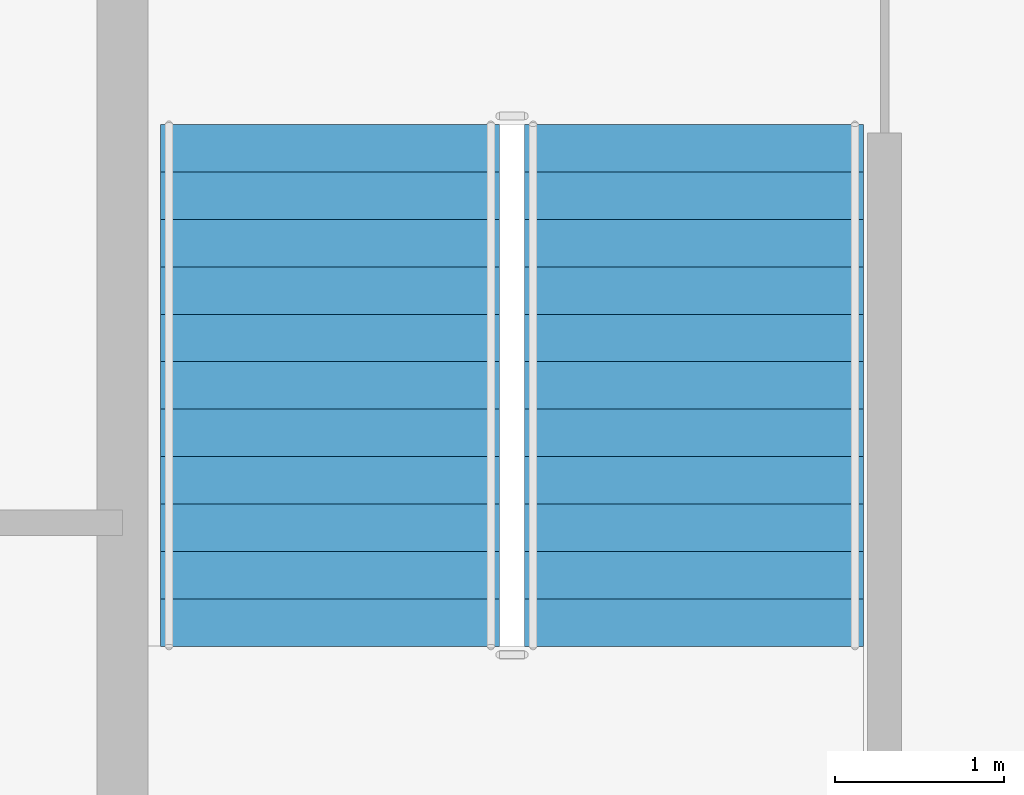
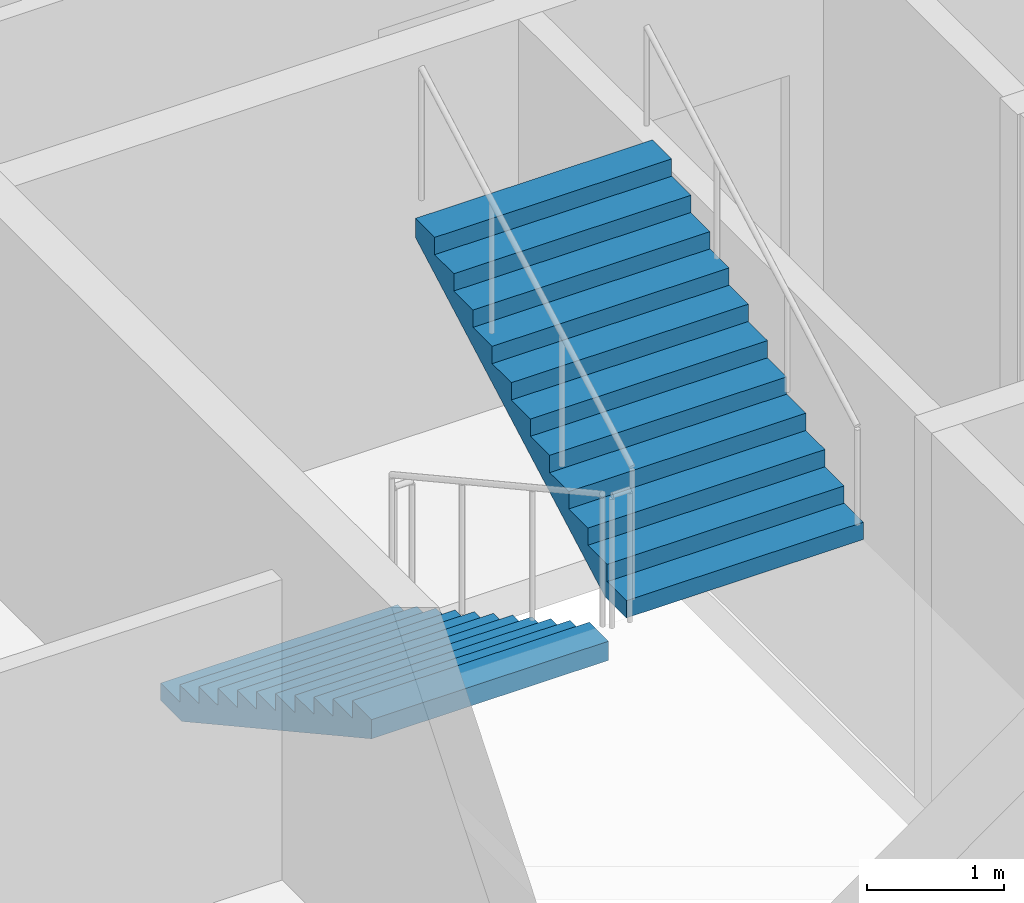
# One storey, part 11 of 18: 2 stair flights, 1 element without a shape of its own.
"""IFC4 building model written with IfcOpenShell, lengths in metres."""

from ifc_helpers import new_model, si_unit, direction, frame, origin, place, context, subcontext, project, spatial, polygons, material, type_object, element, aggregate, save


model = new_model("IFC4")

# Units and contexts
model_context = context("Model", 3, precision=1e-05, world=origin(), true_north=direction((0.0, 1.0)))
body_context = subcontext(model_context, "Body", "Model", "MODEL_VIEW")
ifc_project = project(units=[si_unit("LENGTHUNIT", "METRE"), si_unit("AREAUNIT", "SQUARE_METRE"), si_unit("VOLUMEUNIT", "CUBIC_METRE"), si_unit("PLANEANGLEUNIT", "RADIAN"), si_unit("MASSUNIT", "GRAM", prefix="KILO")], contexts=[model_context])

# Site, building, storey
site_placement = place(None, origin())
site = spatial("IfcSite", under=ifc_project, at=site_placement, CompositionType="ELEMENT")
building_placement = place(site_placement, origin())
building = spatial("IfcBuilding", under=site, at=building_placement, Name="Caravel Reach Hotel and Residences", CompositionType="ELEMENT")
storey_placement = place(building_placement, frame((0.0, 0.0, 165.39990234375)))
storey = spatial("IfcBuildingStorey", under=building, at=storey_placement, Name="L41", CompositionType="ELEMENT", Elevation=165.39990234375)

# Stair, stair flights
ifc_material_1 = material(Name="Concrete C40", Category="concrete")
stair_type = type_object("IfcStairType", Name="Core stair", PredefinedType="HALF_TURN_STAIR", material=ifc_material_1)
stair_placement = place(storey_placement, origin())
stair = element("IfcStair", 1, at=stair_placement, inside=storey, type_object=stair_type, Name="L41 Exit stair A", PredefinedType="HALF_TURN_STAIR")
ifc_material_2 = material(Name="Concrete C40", Category="concrete")
stair_flight_type = type_object("IfcStairFlightType", Name="Core stair flight", PredefinedType="STRAIGHT", material=ifc_material_2)
stair_flight_1_placement = place(storey_placement, frame((19.22509765625, 29.35009765625, 0.0), z_axis=(0.0, 0.0, 1.0), x_axis=(0.0, -1.0, 0.0)))
stair_flight_1 = element("IfcStairFlight", 2, at=stair_flight_1_placement, type_object=stair_flight_type, Name="ST-A flight 1", NumberOfRisers=12, NumberOfTreads=11, PredefinedType="STRAIGHT", RiserHeight=0.154166667, TreadLength=0.28, context=body_context, shape_type="Tessellation", body=[
    polygons([(0.3107950034306102, 1.0, 0.0), (0.3107950034306102, 0.6666666666666667, 0.0), (0.3107950034306102, 0.33333333333333337, 0.0), (0.3107950034306102, 0.0, 0.0), (0.3107950034306102, -0.33333333333333326, 0.0), (0.3107950034306102, -0.6666666666666667, 0.0), (0.3107950034306102, -1.0, 0.0), (3.081, 1.0, 1.524711087717319), (3.081, 0.6666666666666667, 1.524711087717319), (3.081, 0.33333333333333337, 1.524711087717319), (3.081, 0.0, 1.524711087717319), (3.081, -0.33333333333333326, 1.524711087717319), (3.081, -0.6666666666666667, 1.524711087717319), (3.081, -1.0, 1.524711087717319), (3.081, 1.0, 1.695833337), (3.081, 0.6666666666666667, 1.695833337), (3.081, 0.33333333333333337, 1.695833337), (3.081, 0.0, 1.695833337), (3.081, -0.33333333333333326, 1.695833337), (3.081, -0.6666666666666667, 1.695833337), (3.081, -1.0, 1.695833337), (2.8000000000000003, 1.0, 1.695833337), (2.8000000000000003, 0.6666666666666667, 1.695833337), (2.8000000000000003, 0.33333333333333337, 1.695833337), (2.8000000000000003, 0.0, 1.695833337), (2.8000000000000003, -0.33333333333333326, 1.695833337), (2.8000000000000003, -0.6666666666666667, 1.695833337), (2.8000000000000003, -1.0, 1.695833337), (2.8000000000000003, 1.0, 1.5416666700000001), (2.8000000000000003, 0.6666666666666667, 1.5416666700000001), (2.8000000000000003, 0.33333333333333337, 1.5416666700000001), (2.8000000000000003, 0.0, 1.5416666700000001), (2.8000000000000003, -0.33333333333333326, 1.5416666700000001), (2.8000000000000003, -0.6666666666666667, 1.5416666700000001), (2.8000000000000003, -1.0, 1.5416666700000001), (2.5200000000000005, 1.0, 1.5416666700000001), (2.5200000000000005, 0.6666666666666667, 1.5416666700000001), (2.5200000000000005, 0.33333333333333337, 1.5416666700000001), (2.5200000000000005, 0.0, 1.5416666700000001), (2.5200000000000005, -0.33333333333333326, 1.5416666700000001), (2.5200000000000005, -0.6666666666666667, 1.5416666700000001), (2.5200000000000005, -1.0, 1.5416666700000001), (2.5200000000000005, 1.0, 1.387500003), (2.5200000000000005, 0.6666666666666667, 1.387500003), (2.5200000000000005, 0.33333333333333337, 1.387500003), (2.5200000000000005, 0.0, 1.387500003), (2.5200000000000005, -0.33333333333333326, 1.387500003), (2.5200000000000005, -0.6666666666666667, 1.387500003), (2.5200000000000005, -1.0, 1.387500003), (2.24, 1.0, 1.387500003), (2.24, 0.6666666666666667, 1.387500003), (2.24, 0.33333333333333337, 1.387500003), (2.24, 0.0, 1.387500003), (2.24, -0.33333333333333326, 1.387500003), (2.24, -0.6666666666666667, 1.387500003), (2.24, -1.0, 1.387500003), (2.24, 1.0, 1.233333336), (2.24, 0.6666666666666667, 1.233333336), (2.24, 0.33333333333333337, 1.233333336), (2.24, 0.0, 1.233333336), (2.24, -0.33333333333333326, 1.233333336), (2.24, -0.6666666666666667, 1.233333336), (2.24, -1.0, 1.233333336), (1.9600000000000002, 1.0, 1.233333336), (1.9600000000000002, 0.6666666666666667, 1.233333336), (1.9600000000000002, 0.33333333333333337, 1.233333336), (1.9600000000000002, 0.0, 1.233333336), (1.9600000000000002, -0.33333333333333326, 1.233333336), (1.9600000000000002, -0.6666666666666667, 1.233333336), (1.9600000000000002, -1.0, 1.233333336), (1.9600000000000002, 1.0, 1.0791666690000001), (1.9600000000000002, 0.6666666666666667, 1.0791666690000001), (1.9600000000000002, 0.33333333333333337, 1.0791666690000001), (1.9600000000000002, 0.0, 1.0791666690000001), (1.9600000000000002, -0.33333333333333326, 1.0791666690000001), (1.9600000000000002, -0.6666666666666667, 1.0791666690000001), (1.9600000000000002, -1.0, 1.0791666690000001), (1.6800000000000002, 1.0, 1.0791666690000001), (1.6800000000000002, 0.6666666666666667, 1.0791666690000001), (1.6800000000000002, 0.33333333333333337, 1.0791666690000001), (1.6800000000000002, 0.0, 1.0791666690000001), (1.6800000000000002, -0.33333333333333326, 1.0791666690000001), (1.6800000000000002, -0.6666666666666667, 1.0791666690000001), (1.6800000000000002, -1.0, 1.0791666690000001), (1.6800000000000002, 1.0, 0.925000002), (1.6800000000000002, 0.6666666666666667, 0.925000002), (1.6800000000000002, 0.33333333333333337, 0.925000002), (1.6800000000000002, 0.0, 0.925000002), (1.6800000000000002, -0.33333333333333326, 0.925000002), (1.6800000000000002, -0.6666666666666667, 0.925000002), (1.6800000000000002, -1.0, 0.925000002), (1.4000000000000001, 1.0, 0.925000002), (1.4000000000000001, 0.6666666666666667, 0.925000002), (1.4000000000000001, 0.33333333333333337, 0.925000002), (1.4000000000000001, 0.0, 0.925000002), (1.4000000000000001, -0.33333333333333326, 0.925000002), (1.4000000000000001, -0.6666666666666667, 0.925000002), (1.4000000000000001, -1.0, 0.925000002), (1.4000000000000001, 1.0, 0.7708333350000001), (1.4000000000000001, 0.6666666666666667, 0.7708333350000001), (1.4000000000000001, 0.33333333333333337, 0.7708333350000001), (1.4000000000000001, 0.0, 0.7708333350000001), (1.4000000000000001, -0.33333333333333326, 0.7708333350000001), (1.4000000000000001, -0.6666666666666667, 0.7708333350000001), (1.4000000000000001, -1.0, 0.7708333350000001), (1.12, 1.0, 0.7708333350000001), (1.12, 0.6666666666666667, 0.7708333350000001), (1.12, 0.33333333333333337, 0.7708333350000001), (1.12, 0.0, 0.7708333350000001), (1.12, -0.33333333333333326, 0.7708333350000001), (1.12, -0.6666666666666667, 0.7708333350000001), (1.12, -1.0, 0.7708333350000001), (1.12, 1.0, 0.616666668), (1.12, 0.6666666666666667, 0.616666668), (1.12, 0.33333333333333337, 0.616666668), (1.12, 0.0, 0.616666668), (1.12, -0.33333333333333326, 0.616666668), (1.12, -0.6666666666666667, 0.616666668), (1.12, -1.0, 0.616666668), (0.8400000000000001, 1.0, 0.616666668), (0.8400000000000001, 0.6666666666666667, 0.616666668), (0.8400000000000001, 0.33333333333333337, 0.616666668), (0.8400000000000001, 0.0, 0.616666668), (0.8400000000000001, -0.33333333333333326, 0.616666668), (0.8400000000000001, -0.6666666666666667, 0.616666668), (0.8400000000000001, -1.0, 0.616666668), (0.8400000000000001, 1.0, 0.462500001), (0.8400000000000001, 0.6666666666666667, 0.462500001), (0.8400000000000001, 0.33333333333333337, 0.462500001), (0.8400000000000001, 0.0, 0.462500001), (0.8400000000000001, -0.33333333333333326, 0.462500001), (0.8400000000000001, -0.6666666666666667, 0.462500001), (0.8400000000000001, -1.0, 0.462500001), (0.56, 1.0, 0.462500001), (0.56, 0.6666666666666667, 0.462500001), (0.56, 0.33333333333333337, 0.462500001), (0.56, 0.0, 0.462500001), (0.56, -0.33333333333333326, 0.462500001), (0.56, -0.6666666666666667, 0.462500001), (0.56, -1.0, 0.462500001), (0.56, 1.0, 0.308333334), (0.56, 0.6666666666666667, 0.308333334), (0.56, 0.33333333333333337, 0.308333334), (0.56, 0.0, 0.308333334), (0.56, -0.33333333333333326, 0.308333334), (0.56, -0.6666666666666667, 0.308333334), (0.56, -1.0, 0.308333334), (0.28, 1.0, 0.308333334), (0.28, 0.6666666666666667, 0.308333334), (0.28, 0.33333333333333337, 0.308333334), (0.28, 0.0, 0.308333334), (0.28, -0.33333333333333326, 0.308333334), (0.28, -0.6666666666666667, 0.308333334), (0.28, -1.0, 0.308333334), (0.28, 1.0, 0.154166667), (0.28, 0.6666666666666667, 0.154166667), (0.28, 0.33333333333333337, 0.154166667), (0.28, 0.0, 0.154166667), (0.28, -0.33333333333333326, 0.154166667), (0.28, -0.6666666666666667, 0.154166667), (0.28, -1.0, 0.154166667), (-0.001, 1.0, 0.154166667), (-0.001, 0.6666666666666667, 0.154166667), (-0.001, 0.33333333333333337, 0.154166667), (-0.001, 0.0, 0.154166667), (-0.001, -0.33333333333333326, 0.154166667), (-0.001, -0.6666666666666667, 0.154166667), (-0.001, -1.0, 0.154166667), (-0.001, 1.0, 0.0), (-0.001, 0.6666666666666667, 0.0), (-0.001, 0.33333333333333337, 0.0), (-0.001, 0.0, 0.0), (-0.001, -0.33333333333333326, 0.0), (-0.001, -0.6666666666666667, 0.0), (-0.001, -1.0, 0.0)], [[[169, 162, 155, 148, 141, 134, 127, 120, 113, 106, 99, 92, 85, 78, 71, 64, 57, 50, 43, 36, 29, 22, 15, 8, 1]], [[7, 14, 21, 28, 35, 42, 49, 56, 63, 70, 77, 84, 91, 98, 105, 112, 119, 126, 133, 140, 147, 154, 161, 168, 175]], [[1, 8, 9, 2]], [[2, 9, 10, 3]], [[3, 10, 11, 4]], [[4, 11, 12, 5]], [[5, 12, 13, 6]], [[6, 13, 14, 7]], [[8, 15, 16, 9]], [[9, 16, 17, 10]], [[10, 17, 18, 11]], [[11, 18, 19, 12]], [[12, 19, 20, 13]], [[13, 20, 21, 14]], [[15, 22, 23, 16]], [[16, 23, 24, 17]], [[17, 24, 25, 18]], [[18, 25, 26, 19]], [[19, 26, 27, 20]], [[20, 27, 28, 21]], [[22, 29, 30, 23]], [[23, 30, 31, 24]], [[24, 31, 32, 25]], [[25, 32, 33, 26]], [[26, 33, 34, 27]], [[27, 34, 35, 28]], [[29, 36, 37, 30]], [[30, 37, 38, 31]], [[31, 38, 39, 32]], [[32, 39, 40, 33]], [[33, 40, 41, 34]], [[34, 41, 42, 35]], [[36, 43, 44, 37]], [[37, 44, 45, 38]], [[38, 45, 46, 39]], [[39, 46, 47, 40]], [[40, 47, 48, 41]], [[41, 48, 49, 42]], [[43, 50, 51, 44]], [[44, 51, 52, 45]], [[45, 52, 53, 46]], [[46, 53, 54, 47]], [[47, 54, 55, 48]], [[48, 55, 56, 49]], [[50, 57, 58, 51]], [[51, 58, 59, 52]], [[52, 59, 60, 53]], [[53, 60, 61, 54]], [[54, 61, 62, 55]], [[55, 62, 63, 56]], [[57, 64, 65, 58]], [[58, 65, 66, 59]], [[59, 66, 67, 60]], [[60, 67, 68, 61]], [[61, 68, 69, 62]], [[62, 69, 70, 63]], [[64, 71, 72, 65]], [[65, 72, 73, 66]], [[66, 73, 74, 67]], [[67, 74, 75, 68]], [[68, 75, 76, 69]], [[69, 76, 77, 70]], [[71, 78, 79, 72]], [[72, 79, 80, 73]], [[73, 80, 81, 74]], [[74, 81, 82, 75]], [[75, 82, 83, 76]], [[76, 83, 84, 77]], [[78, 85, 86, 79]], [[79, 86, 87, 80]], [[80, 87, 88, 81]], [[81, 88, 89, 82]], [[82, 89, 90, 83]], [[83, 90, 91, 84]], [[85, 92, 93, 86]], [[86, 93, 94, 87]], [[87, 94, 95, 88]], [[88, 95, 96, 89]], [[89, 96, 97, 90]], [[90, 97, 98, 91]], [[92, 99, 100, 93]], [[93, 100, 101, 94]], [[94, 101, 102, 95]], [[95, 102, 103, 96]], [[96, 103, 104, 97]], [[97, 104, 105, 98]], [[99, 106, 107, 100]], [[100, 107, 108, 101]], [[101, 108, 109, 102]], [[102, 109, 110, 103]], [[103, 110, 111, 104]], [[104, 111, 112, 105]], [[106, 113, 114, 107]], [[107, 114, 115, 108]], [[108, 115, 116, 109]], [[109, 116, 117, 110]], [[110, 117, 118, 111]], [[111, 118, 119, 112]], [[113, 120, 121, 114]], [[114, 121, 122, 115]], [[115, 122, 123, 116]], [[116, 123, 124, 117]], [[117, 124, 125, 118]], [[118, 125, 126, 119]], [[120, 127, 128, 121]], [[121, 128, 129, 122]], [[122, 129, 130, 123]], [[123, 130, 131, 124]], [[124, 131, 132, 125]], [[125, 132, 133, 126]], [[127, 134, 135, 128]], [[128, 135, 136, 129]], [[129, 136, 137, 130]], [[130, 137, 138, 131]], [[131, 138, 139, 132]], [[132, 139, 140, 133]], [[134, 141, 142, 135]], [[135, 142, 143, 136]], [[136, 143, 144, 137]], [[137, 144, 145, 138]], [[138, 145, 146, 139]], [[139, 146, 147, 140]], [[141, 148, 149, 142]], [[142, 149, 150, 143]], [[143, 150, 151, 144]], [[144, 151, 152, 145]], [[145, 152, 153, 146]], [[146, 153, 154, 147]], [[148, 155, 156, 149]], [[149, 156, 157, 150]], [[150, 157, 158, 151]], [[151, 158, 159, 152]], [[152, 159, 160, 153]], [[153, 160, 161, 154]], [[155, 162, 163, 156]], [[156, 163, 164, 157]], [[157, 164, 165, 158]], [[158, 165, 166, 159]], [[159, 166, 167, 160]], [[160, 167, 168, 161]], [[162, 169, 170, 163]], [[163, 170, 171, 164]], [[164, 171, 172, 165]], [[165, 172, 173, 166]], [[166, 173, 174, 167]], [[167, 174, 175, 168]], [[169, 1, 2, 170]], [[170, 2, 3, 171]], [[171, 3, 4, 172]], [[172, 4, 5, 173]], [[173, 5, 6, 174]], [[174, 6, 7, 175]]], closed=True),
])
stair_flight_2_placement = place(storey_placement, frame((21.375, 26.27001953125, 1.85009765625), z_axis=(0.0, 0.0, 1.0), x_axis=(0.0, 1.0, 0.0)))
stair_flight_2 = element("IfcStairFlight", 3, at=stair_flight_2_placement, type_object=stair_flight_type, Name="ST-A flight 2", NumberOfRisers=12, NumberOfTreads=11, PredefinedType="STRAIGHT", RiserHeight=0.154166667, TreadLength=0.28, context=body_context, shape_type="Tessellation", body=[
    polygons([(0.3107950034306102, 1.0, 0.0), (0.3107950034306102, 0.6666666666666667, 0.0), (0.3107950034306102, 0.33333333333333337, 0.0), (0.3107950034306102, 0.0, 0.0), (0.3107950034306102, -0.33333333333333326, 0.0), (0.3107950034306102, -0.6666666666666667, 0.0), (0.3107950034306102, -1.0, 0.0), (3.081, 1.0, 1.524711087717319), (3.081, 0.6666666666666667, 1.524711087717319), (3.081, 0.33333333333333337, 1.524711087717319), (3.081, 0.0, 1.524711087717319), (3.081, -0.33333333333333326, 1.524711087717319), (3.081, -0.6666666666666667, 1.524711087717319), (3.081, -1.0, 1.524711087717319), (3.081, 1.0, 1.695833337), (3.081, 0.6666666666666667, 1.695833337), (3.081, 0.33333333333333337, 1.695833337), (3.081, 0.0, 1.695833337), (3.081, -0.33333333333333326, 1.695833337), (3.081, -0.6666666666666667, 1.695833337), (3.081, -1.0, 1.695833337), (2.8000000000000003, 1.0, 1.695833337), (2.8000000000000003, 0.6666666666666667, 1.695833337), (2.8000000000000003, 0.33333333333333337, 1.695833337), (2.8000000000000003, 0.0, 1.695833337), (2.8000000000000003, -0.33333333333333326, 1.695833337), (2.8000000000000003, -0.6666666666666667, 1.695833337), (2.8000000000000003, -1.0, 1.695833337), (2.8000000000000003, 1.0, 1.5416666700000001), (2.8000000000000003, 0.6666666666666667, 1.5416666700000001), (2.8000000000000003, 0.33333333333333337, 1.5416666700000001), (2.8000000000000003, 0.0, 1.5416666700000001), (2.8000000000000003, -0.33333333333333326, 1.5416666700000001), (2.8000000000000003, -0.6666666666666667, 1.5416666700000001), (2.8000000000000003, -1.0, 1.5416666700000001), (2.5200000000000005, 1.0, 1.5416666700000001), (2.5200000000000005, 0.6666666666666667, 1.5416666700000001), (2.5200000000000005, 0.33333333333333337, 1.5416666700000001), (2.5200000000000005, 0.0, 1.5416666700000001), (2.5200000000000005, -0.33333333333333326, 1.5416666700000001), (2.5200000000000005, -0.6666666666666667, 1.5416666700000001), (2.5200000000000005, -1.0, 1.5416666700000001), (2.5200000000000005, 1.0, 1.387500003), (2.5200000000000005, 0.6666666666666667, 1.387500003), (2.5200000000000005, 0.33333333333333337, 1.387500003), (2.5200000000000005, 0.0, 1.387500003), (2.5200000000000005, -0.33333333333333326, 1.387500003), (2.5200000000000005, -0.6666666666666667, 1.387500003), (2.5200000000000005, -1.0, 1.387500003), (2.24, 1.0, 1.387500003), (2.24, 0.6666666666666667, 1.387500003), (2.24, 0.33333333333333337, 1.387500003), (2.24, 0.0, 1.387500003), (2.24, -0.33333333333333326, 1.387500003), (2.24, -0.6666666666666667, 1.387500003), (2.24, -1.0, 1.387500003), (2.24, 1.0, 1.233333336), (2.24, 0.6666666666666667, 1.233333336), (2.24, 0.33333333333333337, 1.233333336), (2.24, 0.0, 1.233333336), (2.24, -0.33333333333333326, 1.233333336), (2.24, -0.6666666666666667, 1.233333336), (2.24, -1.0, 1.233333336), (1.9600000000000002, 1.0, 1.233333336), (1.9600000000000002, 0.6666666666666667, 1.233333336), (1.9600000000000002, 0.33333333333333337, 1.233333336), (1.9600000000000002, 0.0, 1.233333336), (1.9600000000000002, -0.33333333333333326, 1.233333336), (1.9600000000000002, -0.6666666666666667, 1.233333336), (1.9600000000000002, -1.0, 1.233333336), (1.9600000000000002, 1.0, 1.0791666690000001), (1.9600000000000002, 0.6666666666666667, 1.0791666690000001), (1.9600000000000002, 0.33333333333333337, 1.0791666690000001), (1.9600000000000002, 0.0, 1.0791666690000001), (1.9600000000000002, -0.33333333333333326, 1.0791666690000001), (1.9600000000000002, -0.6666666666666667, 1.0791666690000001), (1.9600000000000002, -1.0, 1.0791666690000001), (1.6800000000000002, 1.0, 1.0791666690000001), (1.6800000000000002, 0.6666666666666667, 1.0791666690000001), (1.6800000000000002, 0.33333333333333337, 1.0791666690000001), (1.6800000000000002, 0.0, 1.0791666690000001), (1.6800000000000002, -0.33333333333333326, 1.0791666690000001), (1.6800000000000002, -0.6666666666666667, 1.0791666690000001), (1.6800000000000002, -1.0, 1.0791666690000001), (1.6800000000000002, 1.0, 0.925000002), (1.6800000000000002, 0.6666666666666667, 0.925000002), (1.6800000000000002, 0.33333333333333337, 0.925000002), (1.6800000000000002, 0.0, 0.925000002), (1.6800000000000002, -0.33333333333333326, 0.925000002), (1.6800000000000002, -0.6666666666666667, 0.925000002), (1.6800000000000002, -1.0, 0.925000002), (1.4000000000000001, 1.0, 0.925000002), (1.4000000000000001, 0.6666666666666667, 0.925000002), (1.4000000000000001, 0.33333333333333337, 0.925000002), (1.4000000000000001, 0.0, 0.925000002), (1.4000000000000001, -0.33333333333333326, 0.925000002), (1.4000000000000001, -0.6666666666666667, 0.925000002), (1.4000000000000001, -1.0, 0.925000002), (1.4000000000000001, 1.0, 0.7708333350000001), (1.4000000000000001, 0.6666666666666667, 0.7708333350000001), (1.4000000000000001, 0.33333333333333337, 0.7708333350000001), (1.4000000000000001, 0.0, 0.7708333350000001), (1.4000000000000001, -0.33333333333333326, 0.7708333350000001), (1.4000000000000001, -0.6666666666666667, 0.7708333350000001), (1.4000000000000001, -1.0, 0.7708333350000001), (1.12, 1.0, 0.7708333350000001), (1.12, 0.6666666666666667, 0.7708333350000001), (1.12, 0.33333333333333337, 0.7708333350000001), (1.12, 0.0, 0.7708333350000001), (1.12, -0.33333333333333326, 0.7708333350000001), (1.12, -0.6666666666666667, 0.7708333350000001), (1.12, -1.0, 0.7708333350000001), (1.12, 1.0, 0.616666668), (1.12, 0.6666666666666667, 0.616666668), (1.12, 0.33333333333333337, 0.616666668), (1.12, 0.0, 0.616666668), (1.12, -0.33333333333333326, 0.616666668), (1.12, -0.6666666666666667, 0.616666668), (1.12, -1.0, 0.616666668), (0.8400000000000001, 1.0, 0.616666668), (0.8400000000000001, 0.6666666666666667, 0.616666668), (0.8400000000000001, 0.33333333333333337, 0.616666668), (0.8400000000000001, 0.0, 0.616666668), (0.8400000000000001, -0.33333333333333326, 0.616666668), (0.8400000000000001, -0.6666666666666667, 0.616666668), (0.8400000000000001, -1.0, 0.616666668), (0.8400000000000001, 1.0, 0.462500001), (0.8400000000000001, 0.6666666666666667, 0.462500001), (0.8400000000000001, 0.33333333333333337, 0.462500001), (0.8400000000000001, 0.0, 0.462500001), (0.8400000000000001, -0.33333333333333326, 0.462500001), (0.8400000000000001, -0.6666666666666667, 0.462500001), (0.8400000000000001, -1.0, 0.462500001), (0.56, 1.0, 0.462500001), (0.56, 0.6666666666666667, 0.462500001), (0.56, 0.33333333333333337, 0.462500001), (0.56, 0.0, 0.462500001), (0.56, -0.33333333333333326, 0.462500001), (0.56, -0.6666666666666667, 0.462500001), (0.56, -1.0, 0.462500001), (0.56, 1.0, 0.308333334), (0.56, 0.6666666666666667, 0.308333334), (0.56, 0.33333333333333337, 0.308333334), (0.56, 0.0, 0.308333334), (0.56, -0.33333333333333326, 0.308333334), (0.56, -0.6666666666666667, 0.308333334), (0.56, -1.0, 0.308333334), (0.28, 1.0, 0.308333334), (0.28, 0.6666666666666667, 0.308333334), (0.28, 0.33333333333333337, 0.308333334), (0.28, 0.0, 0.308333334), (0.28, -0.33333333333333326, 0.308333334), (0.28, -0.6666666666666667, 0.308333334), (0.28, -1.0, 0.308333334), (0.28, 1.0, 0.154166667), (0.28, 0.6666666666666667, 0.154166667), (0.28, 0.33333333333333337, 0.154166667), (0.28, 0.0, 0.154166667), (0.28, -0.33333333333333326, 0.154166667), (0.28, -0.6666666666666667, 0.154166667), (0.28, -1.0, 0.154166667), (-0.001, 1.0, 0.154166667), (-0.001, 0.6666666666666667, 0.154166667), (-0.001, 0.33333333333333337, 0.154166667), (-0.001, 0.0, 0.154166667), (-0.001, -0.33333333333333326, 0.154166667), (-0.001, -0.6666666666666667, 0.154166667), (-0.001, -1.0, 0.154166667), (-0.001, 1.0, 0.0), (-0.001, 0.6666666666666667, 0.0), (-0.001, 0.33333333333333337, 0.0), (-0.001, 0.0, 0.0), (-0.001, -0.33333333333333326, 0.0), (-0.001, -0.6666666666666667, 0.0), (-0.001, -1.0, 0.0)], [[[169, 162, 155, 148, 141, 134, 127, 120, 113, 106, 99, 92, 85, 78, 71, 64, 57, 50, 43, 36, 29, 22, 15, 8, 1]], [[7, 14, 21, 28, 35, 42, 49, 56, 63, 70, 77, 84, 91, 98, 105, 112, 119, 126, 133, 140, 147, 154, 161, 168, 175]], [[1, 8, 9, 2]], [[2, 9, 10, 3]], [[3, 10, 11, 4]], [[4, 11, 12, 5]], [[5, 12, 13, 6]], [[6, 13, 14, 7]], [[8, 15, 16, 9]], [[9, 16, 17, 10]], [[10, 17, 18, 11]], [[11, 18, 19, 12]], [[12, 19, 20, 13]], [[13, 20, 21, 14]], [[15, 22, 23, 16]], [[16, 23, 24, 17]], [[17, 24, 25, 18]], [[18, 25, 26, 19]], [[19, 26, 27, 20]], [[20, 27, 28, 21]], [[22, 29, 30, 23]], [[23, 30, 31, 24]], [[24, 31, 32, 25]], [[25, 32, 33, 26]], [[26, 33, 34, 27]], [[27, 34, 35, 28]], [[29, 36, 37, 30]], [[30, 37, 38, 31]], [[31, 38, 39, 32]], [[32, 39, 40, 33]], [[33, 40, 41, 34]], [[34, 41, 42, 35]], [[36, 43, 44, 37]], [[37, 44, 45, 38]], [[38, 45, 46, 39]], [[39, 46, 47, 40]], [[40, 47, 48, 41]], [[41, 48, 49, 42]], [[43, 50, 51, 44]], [[44, 51, 52, 45]], [[45, 52, 53, 46]], [[46, 53, 54, 47]], [[47, 54, 55, 48]], [[48, 55, 56, 49]], [[50, 57, 58, 51]], [[51, 58, 59, 52]], [[52, 59, 60, 53]], [[53, 60, 61, 54]], [[54, 61, 62, 55]], [[55, 62, 63, 56]], [[57, 64, 65, 58]], [[58, 65, 66, 59]], [[59, 66, 67, 60]], [[60, 67, 68, 61]], [[61, 68, 69, 62]], [[62, 69, 70, 63]], [[64, 71, 72, 65]], [[65, 72, 73, 66]], [[66, 73, 74, 67]], [[67, 74, 75, 68]], [[68, 75, 76, 69]], [[69, 76, 77, 70]], [[71, 78, 79, 72]], [[72, 79, 80, 73]], [[73, 80, 81, 74]], [[74, 81, 82, 75]], [[75, 82, 83, 76]], [[76, 83, 84, 77]], [[78, 85, 86, 79]], [[79, 86, 87, 80]], [[80, 87, 88, 81]], [[81, 88, 89, 82]], [[82, 89, 90, 83]], [[83, 90, 91, 84]], [[85, 92, 93, 86]], [[86, 93, 94, 87]], [[87, 94, 95, 88]], [[88, 95, 96, 89]], [[89, 96, 97, 90]], [[90, 97, 98, 91]], [[92, 99, 100, 93]], [[93, 100, 101, 94]], [[94, 101, 102, 95]], [[95, 102, 103, 96]], [[96, 103, 104, 97]], [[97, 104, 105, 98]], [[99, 106, 107, 100]], [[100, 107, 108, 101]], [[101, 108, 109, 102]], [[102, 109, 110, 103]], [[103, 110, 111, 104]], [[104, 111, 112, 105]], [[106, 113, 114, 107]], [[107, 114, 115, 108]], [[108, 115, 116, 109]], [[109, 116, 117, 110]], [[110, 117, 118, 111]], [[111, 118, 119, 112]], [[113, 120, 121, 114]], [[114, 121, 122, 115]], [[115, 122, 123, 116]], [[116, 123, 124, 117]], [[117, 124, 125, 118]], [[118, 125, 126, 119]], [[120, 127, 128, 121]], [[121, 128, 129, 122]], [[122, 129, 130, 123]], [[123, 130, 131, 124]], [[124, 131, 132, 125]], [[125, 132, 133, 126]], [[127, 134, 135, 128]], [[128, 135, 136, 129]], [[129, 136, 137, 130]], [[130, 137, 138, 131]], [[131, 138, 139, 132]], [[132, 139, 140, 133]], [[134, 141, 142, 135]], [[135, 142, 143, 136]], [[136, 143, 144, 137]], [[137, 144, 145, 138]], [[138, 145, 146, 139]], [[139, 146, 147, 140]], [[141, 148, 149, 142]], [[142, 149, 150, 143]], [[143, 150, 151, 144]], [[144, 151, 152, 145]], [[145, 152, 153, 146]], [[146, 153, 154, 147]], [[148, 155, 156, 149]], [[149, 156, 157, 150]], [[150, 157, 158, 151]], [[151, 158, 159, 152]], [[152, 159, 160, 153]], [[153, 160, 161, 154]], [[155, 162, 163, 156]], [[156, 163, 164, 157]], [[157, 164, 165, 158]], [[158, 165, 166, 159]], [[159, 166, 167, 160]], [[160, 167, 168, 161]], [[162, 169, 170, 163]], [[163, 170, 171, 164]], [[164, 171, 172, 165]], [[165, 172, 173, 166]], [[166, 173, 174, 167]], [[167, 174, 175, 168]], [[169, 1, 2, 170]], [[170, 2, 3, 171]], [[171, 3, 4, 172]], [[172, 4, 5, 173]], [[173, 5, 6, 174]], [[174, 6, 7, 175]]], closed=True),
])
aggregate(stair, [stair_flight_1, stair_flight_2])

save(model, "model.ifc")
